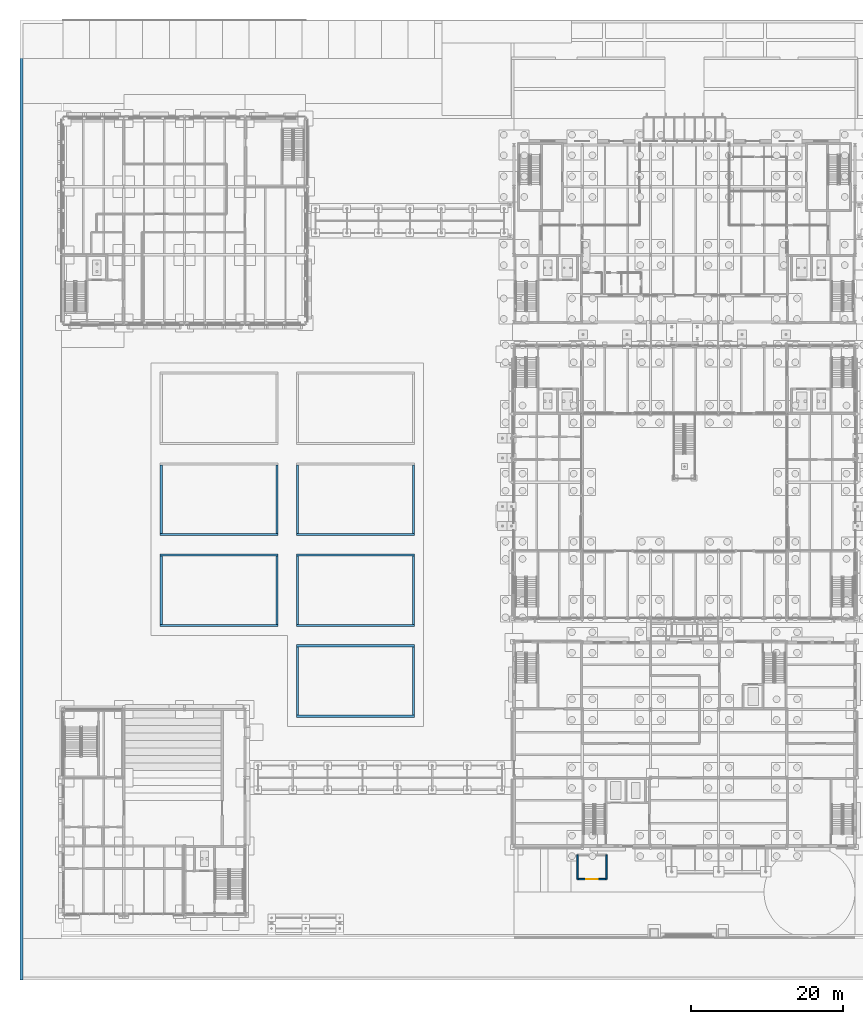
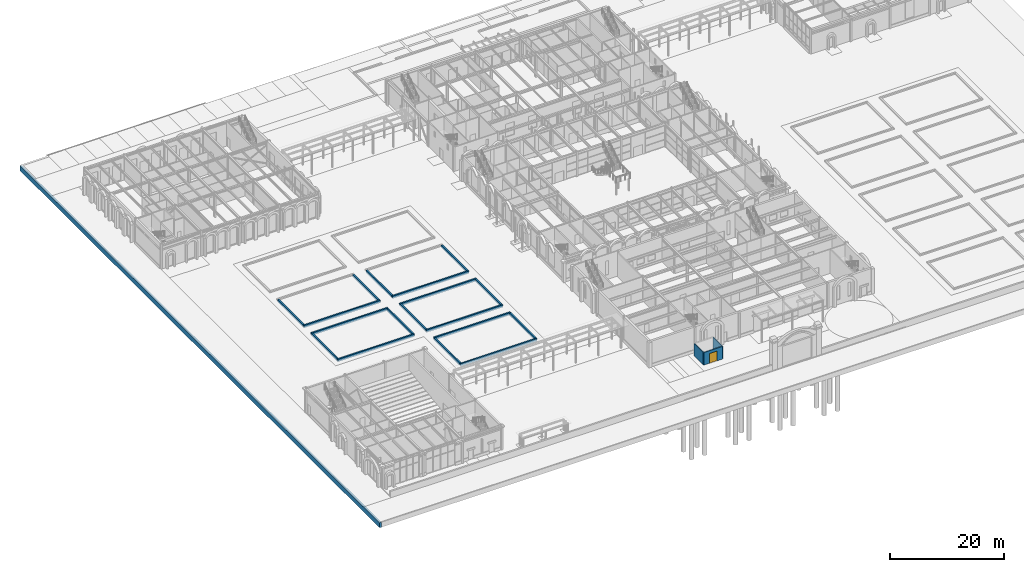
# One storey, part 67 of 126: 22 walls, 1 door, 1 opening.
"""IFC4 building model written with IfcOpenShell, lengths in metres."""

from ifc_helpers import new_model, si_unit, direction, frame, frame_2d, origin, place, context, subcontext, project, spatial, rectangle, extrude, material, layer, layer_set, type_object, element, fill, save


model = new_model("IFC4")

# Units and contexts
model_context = context("Model", 3, precision=1e-05, world=origin(), true_north=direction((0.0, 1.0)))
body_context = subcontext(model_context, "Body", "Model", "MODEL_VIEW")
ifc_project = project(units=[si_unit("LENGTHUNIT", "METRE"), si_unit("AREAUNIT", "SQUARE_METRE"), si_unit("VOLUMEUNIT", "CUBIC_METRE"), si_unit("PLANEANGLEUNIT", "RADIAN"), si_unit("MASSUNIT", "GRAM", prefix="KILO")], contexts=[model_context])

# Site, building, storey
site_placement = place(None, origin())
site = spatial("IfcSite", under=ifc_project, at=site_placement, CompositionType="ELEMENT")
building_placement = place(site_placement, origin())
building = spatial("IfcBuilding", under=site, at=building_placement, Name="Kallimachos Central Library", CompositionType="ELEMENT")
storey_placement = place(building_placement, origin())
storey = spatial("IfcBuildingStorey", under=building, at=storey_placement, Name="L00", CompositionType="ELEMENT", Elevation=0.0)

# Walls
ifc_material_1 = material(Name="Granite kerb stone", Category="masonry")
ifc_layer_1 = layer(ifc_material_1, 0.300048828125)
ifc_layer_set_1 = layer_set([ifc_layer_1], Name="Granite kerb 300")
wall_type_1 = type_object("IfcWallType", Name="Granite kerb 300", PredefinedType="SOLIDWALL", material=ifc_layer_set_1)
for number, where, z_axis, x_axis, name in (
    (1, (18.77490234375, 47.10009765625, -0.300048828125), (0.0, 0.0, 1.0), (1.0, 0.0, 0.0), "Garden bed kerb south 18-46"),
    (2, (18.77490234375, 56.39990234375, -0.300048828125), (0.0, 0.0, 1.0), (1.0, 0.0, 0.0), "Garden bed kerb north 18-46"),
):
    element("IfcWall", number, at=place(storey_placement, frame(where, z_axis=z_axis, x_axis=x_axis)), inside=storey, type_object=wall_type_1, Name=name, PredefinedType="SOLIDWALL", context=body_context, shape_type="SweptSolid", body=[
        extrude(rectangle(XDim=15.60009765625, YDim=0.300048828125, at=frame_2d((7.800048828125, 0.0))), origin(), (0.0, 0.0, 1.0), 0.550048828125),
    ])
for number, where, z_axis, x_axis, name in (
    (3, (18.925048828125, 47.25, -0.300048828125), (0.0, 0.0, 1.0), (0.0, 1.0, 0.0), "Garden bed kerb west 18-46"),
    (4, (34.22509765625, 47.25, -0.300048828125), (0.0, 0.0, 1.0), (0.0, 1.0, 0.0), "Garden bed kerb east 18-46"),
):
    element("IfcWall", number, at=place(storey_placement, frame(where, z_axis=z_axis, x_axis=x_axis)), inside=storey, type_object=wall_type_1, Name=name, PredefinedType="SOLIDWALL", context=body_context, shape_type="SweptSolid", body=[
        extrude(rectangle(XDim=9.0, YDim=0.300048828125, at=frame_2d((4.5, 0.0))), origin(), (0.0, 0.0, 1.0), 0.550048828125),
    ])
wall_1_placement = place(storey_placement, frame((18.77490234375, 59.10009765625, -0.300048828125), z_axis=(0.0, 0.0, 1.0), x_axis=(1.0, 0.0, 0.0)))
element("IfcWall", 5, at=wall_1_placement, inside=storey, type_object=wall_type_1, Name="Garden bed kerb south 18-58", PredefinedType="SOLIDWALL", context=body_context, shape_type="SweptSolid", body=[
    extrude(rectangle(XDim=15.60009765625, YDim=0.300048828125, at=frame_2d((7.800048828125, 0.0))), origin(), (0.0, 0.0, 1.0), 0.550048828125),
])
for number, where, z_axis, x_axis, name in (
    (6, (18.925048828125, 59.25, -0.300048828125), (0.0, 0.0, 1.0), (0.0, 1.0, 0.0), "Garden bed kerb west 18-58"),
    (7, (34.22509765625, 59.25, -0.300048828125), (0.0, 0.0, 1.0), (0.0, 1.0, 0.0), "Garden bed kerb east 18-58"),
):
    element("IfcWall", number, at=place(storey_placement, frame(where, z_axis=z_axis, x_axis=x_axis)), inside=storey, type_object=wall_type_1, Name=name, PredefinedType="SOLIDWALL", context=body_context, shape_type="SweptSolid", body=[
        extrude(rectangle(XDim=9.0, YDim=0.300048828125, at=frame_2d((4.5, 0.0))), origin(), (0.0, 0.0, 1.0), 0.550048828125),
    ])
for number, where, z_axis, x_axis, name in (
    (8, (36.77490234375, 35.10009765625, -0.300048828125), (0.0, 0.0, 1.0), (1.0, 0.0, 0.0), "Garden bed kerb south 36-34"),
    (9, (36.77490234375, 44.39990234375, -0.300048828125), (0.0, 0.0, 1.0), (1.0, 0.0, 0.0), "Garden bed kerb north 36-34"),
):
    element("IfcWall", number, at=place(storey_placement, frame(where, z_axis=z_axis, x_axis=x_axis)), inside=storey, type_object=wall_type_1, Name=name, PredefinedType="SOLIDWALL", context=body_context, shape_type="SweptSolid", body=[
        extrude(rectangle(XDim=15.60009765625, YDim=0.300048828125, at=frame_2d((7.800048828125, 0.0))), origin(), (0.0, 0.0, 1.0), 0.550048828125),
    ])
for number, where, z_axis, x_axis, name in (
    (10, (36.925048828125, 35.25, -0.300048828125), (0.0, 0.0, 1.0), (0.0, 1.0, 0.0), "Garden bed kerb west 36-34"),
    (11, (52.22509765625, 35.25, -0.300048828125), (0.0, 0.0, 1.0), (0.0, 1.0, 0.0), "Garden bed kerb east 36-34"),
):
    element("IfcWall", number, at=place(storey_placement, frame(where, z_axis=z_axis, x_axis=x_axis)), inside=storey, type_object=wall_type_1, Name=name, PredefinedType="SOLIDWALL", context=body_context, shape_type="SweptSolid", body=[
        extrude(rectangle(XDim=9.0, YDim=0.300048828125, at=frame_2d((4.5, 0.0))), origin(), (0.0, 0.0, 1.0), 0.550048828125),
    ])
for number, where, z_axis, x_axis, name in (
    (12, (36.77490234375, 47.10009765625, -0.300048828125), (0.0, 0.0, 1.0), (1.0, 0.0, 0.0), "Garden bed kerb south 36-46"),
    (13, (36.77490234375, 56.39990234375, -0.300048828125), (0.0, 0.0, 1.0), (1.0, 0.0, 0.0), "Garden bed kerb north 36-46"),
):
    element("IfcWall", number, at=place(storey_placement, frame(where, z_axis=z_axis, x_axis=x_axis)), inside=storey, type_object=wall_type_1, Name=name, PredefinedType="SOLIDWALL", context=body_context, shape_type="SweptSolid", body=[
        extrude(rectangle(XDim=15.60009765625, YDim=0.300048828125, at=frame_2d((7.800048828125, 0.0))), origin(), (0.0, 0.0, 1.0), 0.550048828125),
    ])
for number, where, z_axis, x_axis, name in (
    (14, (36.925048828125, 47.25, -0.300048828125), (0.0, 0.0, 1.0), (0.0, 1.0, 0.0), "Garden bed kerb west 36-46"),
    (15, (52.22509765625, 47.25, -0.300048828125), (0.0, 0.0, 1.0), (0.0, 1.0, 0.0), "Garden bed kerb east 36-46"),
):
    element("IfcWall", number, at=place(storey_placement, frame(where, z_axis=z_axis, x_axis=x_axis)), inside=storey, type_object=wall_type_1, Name=name, PredefinedType="SOLIDWALL", context=body_context, shape_type="SweptSolid", body=[
        extrude(rectangle(XDim=9.0, YDim=0.300048828125, at=frame_2d((4.5, 0.0))), origin(), (0.0, 0.0, 1.0), 0.550048828125),
    ])
wall_2_placement = place(storey_placement, frame((36.77490234375, 59.10009765625, -0.300048828125), z_axis=(0.0, 0.0, 1.0), x_axis=(1.0, 0.0, 0.0)))
element("IfcWall", 16, at=wall_2_placement, inside=storey, type_object=wall_type_1, Name="Garden bed kerb south 36-58", PredefinedType="SOLIDWALL", context=body_context, shape_type="SweptSolid", body=[
    extrude(rectangle(XDim=15.60009765625, YDim=0.300048828125, at=frame_2d((7.800048828125, 0.0))), origin(), (0.0, 0.0, 1.0), 0.550048828125),
])
for number, where, z_axis, x_axis, name in (
    (17, (36.925048828125, 59.25, -0.300048828125), (0.0, 0.0, 1.0), (0.0, 1.0, 0.0), "Garden bed kerb west 36-58"),
    (18, (52.22509765625, 59.25, -0.300048828125), (0.0, 0.0, 1.0), (0.0, 1.0, 0.0), "Garden bed kerb east 36-58"),
):
    element("IfcWall", number, at=place(storey_placement, frame(where, z_axis=z_axis, x_axis=x_axis)), inside=storey, type_object=wall_type_1, Name=name, PredefinedType="SOLIDWALL", context=body_context, shape_type="SweptSolid", body=[
        extrude(rectangle(XDim=9.0, YDim=0.300048828125, at=frame_2d((4.5, 0.0))), origin(), (0.0, 0.0, 1.0), 0.550048828125),
    ])
ifc_material_2 = material(Name="Concrete C30/37", Category="concrete")
ifc_layer_2 = layer(ifc_material_2, 0.39990234375)
ifc_layer_set_2 = layer_set([ifc_layer_2], Name="Plinth skirt wall 400")
wall_type_2 = type_object("IfcWallType", Name="Plinth skirt wall 400", PredefinedType="SOLIDWALL", material=ifc_layer_set_2)
wall_3_placement = place(storey_placement, frame((0.5, 126.949951171875, -1.199951171875), z_axis=(0.0, 0.0, 1.0), x_axis=(0.0, -1.0, 0.0)))
element("IfcWall", 19, at=wall_3_placement, inside=storey, type_object=wall_type_2, Name="Plinth skirt West", PredefinedType="SOLIDWALL", context=body_context, shape_type="SweptSolid", body=[
    extrude(rectangle(XDim=126.64990234375, YDim=0.39990234375, at=frame_2d((63.324951171875, 0.0))), origin(), (0.0, 0.0, 1.0), 1.050048828125),
])

# Wall, opening, door
ifc_material_3 = material(Name="Brick masonry", Category="masonry")
ifc_layer_3 = layer(ifc_material_3, 0.199951171875)
ifc_layer_set_3 = layer_set([ifc_layer_3], Name="Refuse store wall 200")
wall_type_3 = type_object("IfcWallType", Name="Refuse store wall 200", PredefinedType="SOLIDWALL", material=ifc_layer_set_3)
wall_4_placement = place(storey_placement, frame((73.89990234375, 13.60009765625, 0.0), z_axis=(0.0, 0.0, 1.0), x_axis=(1.0, 0.0, 0.0)))
wall_4 = element("IfcWall", 20, at=wall_4_placement, inside=storey, type_object=wall_type_3, Name="Refuse Store south wall", PredefinedType="SOLIDWALL", context=body_context, shape_type="SweptSolid", body=[
    extrude(rectangle(XDim=3.800048828125, YDim=0.199951171875, at=frame_2d((1.89990234375, 0.0))), origin(), (0.0, 0.0, 1.0), 2.699951171875),
])
opening_placement = place(wall_4_placement, frame((1.14990234375, 0.0, 0.0)))
opening = element("IfcOpeningElement", 21, at=opening_placement, cuts=wall_4, Name="Opening D81", PredefinedType="OPENING", context=body_context, shape_type="SweptSolid", body=[
    extrude(rectangle(XDim=1.5, YDim=2.10009765625, at=frame_2d((0.75, 1.050048828125))), frame((0.0, 0.10986328125, 0.0), z_axis=(0.0, -1.0, 0.0), x_axis=(1.0, 0.0, 0.0)), (0.0, 0.0, 1.0), 0.219970703125),
])
ifc_material_4 = material(Name="Galvanised steel", Category="steel")
door_type = type_object("IfcDoorType", Name="Refuse store door 1500 x 2100", OperationType="DOUBLE_DOOR_SINGLE_SWING", PredefinedType="DOOR", material=ifc_material_4)
door_placement = place(opening_placement, frame((1.5, 0.0, 0.0), z_axis=(0.0, 0.0, 1.0), x_axis=(-1.0, 0.0, 0.0)))
door = element("IfcDoor", 22, at=door_placement, inside=storey, type_object=door_type, Name="Refuse Store service door", OperationType="DOUBLE_DOOR_SINGLE_SWING", OverallHeight=2.10009765625, OverallWidth=1.5, PredefinedType="DOOR", context=body_context, shape_type="SweptSolid", body=[
    extrude(rectangle(XDim=1.5, YDim=2.10009765625, at=frame_2d((0.75, 1.050048828125))), frame((0.0, 0.02490234375, 0.0), z_axis=(0.0, -1.0, 0.0), x_axis=(1.0, 0.0, 0.0)), (0.0, 0.0, 1.0), 0.050048828125),
])
fill(opening, door)

# Walls
for number, where, z_axis, x_axis, name in (
    (23, (77.699951171875, 13.60009765625, 0.0), (0.0, 0.0, 1.0), (0.0, 1.0, 0.0), "Refuse Store east wall"),
    (24, (73.89990234375, 16.800048828125, 0.0), (0.0, 0.0, 1.0), (0.0, -1.0, 0.0), "Refuse Store west wall"),
):
    element("IfcWall", number, at=place(storey_placement, frame(where, z_axis=z_axis, x_axis=x_axis)), inside=storey, type_object=wall_type_3, Name=name, PredefinedType="SOLIDWALL", context=body_context, shape_type="SweptSolid", body=[
        extrude(rectangle(XDim=3.199951171875, YDim=0.199951171875, at=frame_2d((1.60009765625, 0.0))), origin(), (0.0, 0.0, 1.0), 2.699951171875),
    ])

save(model, "model.ifc")
